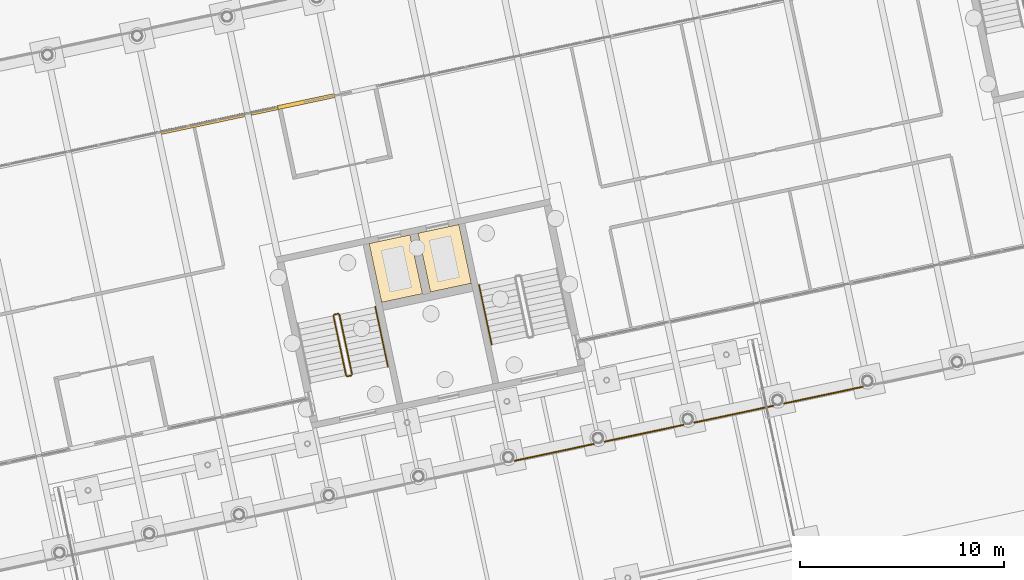
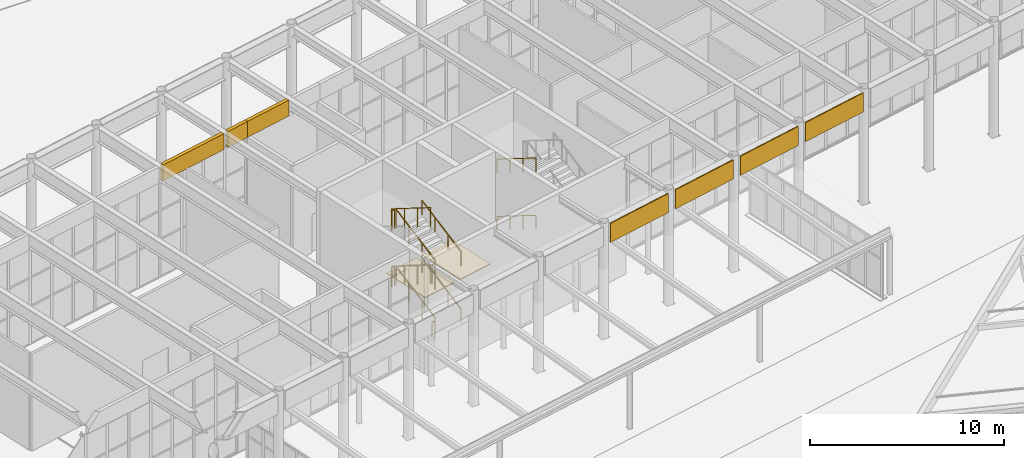
# One storey, part 213 of 239: 12 railings, 9 coverings.
"""IFC4 building model written with IfcOpenShell, lengths in metres."""

from ifc_helpers import new_model, si_unit, direction, frame, origin, origin_2d, place, context, subcontext, project, spatial, polyline, rectangle, circle, outline, extrude, material, layer, layer_set, type_object, element, save


model = new_model("IFC4")

# Units and contexts
model_context = context("Model", 3, precision=1e-05, world=origin(), true_north=direction((0.0, 1.0)))
body_context = subcontext(model_context, "Body", "Model", "MODEL_VIEW")
ifc_project = project(units=[si_unit("LENGTHUNIT", "METRE"), si_unit("AREAUNIT", "SQUARE_METRE"), si_unit("VOLUMEUNIT", "CUBIC_METRE"), si_unit("PLANEANGLEUNIT", "RADIAN"), si_unit("MASSUNIT", "GRAM", prefix="KILO")], contexts=[model_context])

# Site, building, storey
site_placement = place(None, origin())
site = spatial("IfcSite", under=ifc_project, at=site_placement, CompositionType="ELEMENT")
building_placement = place(site_placement, origin())
building = spatial("IfcBuilding", under=site, at=building_placement, Name="Okhra Congress Centre", CompositionType="ELEMENT")
storey_placement = place(building_placement, origin())
storey = spatial("IfcBuildingStorey", under=building, at=storey_placement, Name="L00", CompositionType="ELEMENT", Elevation=0.0)

# Coverings
ifc_material_1 = material(Name="Dark bronze anodised aluminium fascia panel", Category="aluminium")
ifc_layer_1 = layer(ifc_material_1, 0.06005859375)
ifc_layer_set_1 = layer_set([ifc_layer_1], Name="Dark bronze fascia strip 60")
covering_type_1 = type_object("IfcCoveringType", Name="Dark bronze fascia strip 60", PredefinedType="CLADDING", material=ifc_layer_set_1)
for number, where, z_axis, x_axis, name in (
    (1, (146.891357421875, 44.82861328125, 5.85009765625), (0.0, 0.0, 1.0), (0.978147600734, 0.207911690818, 0.0), "Girder fascia strip"),
    (2, (151.29296875, 45.76416015625, 5.85009765625), (0.0, 0.0, 1.0), (0.978147600734, 0.207911690818, 0.0), "Girder fascia strip"),
    (3, (155.694580078125, 46.69970703125, 5.85009765625), (0.0, 0.0, 1.0), (0.978147600734, 0.207911690818, 0.0), "Girder fascia strip"),
    (4, (160.09619140625, 47.63525390625, 5.85009765625), (0.0, 0.0, 1.0), (0.978147600734, 0.207911690818, 0.0), "Girder fascia strip"),
):
    element("IfcCovering", number, at=place(storey_placement, frame(where, z_axis=z_axis, x_axis=x_axis)), inside=storey, type_object=covering_type_1, Name=name, PredefinedType="CLADDING", context=body_context, shape_type="SweptSolid", body=[
        extrude(rectangle(XDim=3.991943359375, YDim=0.06005859375, at=origin_2d()), origin(), (0.0, 0.0, 1.0), 1.199951171875),
    ])
ifc_material_2 = material(Name="Insulated metal sandwich panel (mineral wool core)")
ifc_layer_2 = layer(ifc_material_2, 0.199951171875)
ifc_layer_set_2 = layer_set([ifc_layer_2], Name="Insulated fascia cladding panel 200")
covering_type_2 = type_object("IfcCoveringType", Name="Insulated fascia cladding panel 200", PredefinedType="CLADDING", material=ifc_layer_set_2)
covering_1_placement = place(storey_placement, frame((129.662109375, 60.953857421875, 6.050048828125), z_axis=(0.0, 0.0, 1.0), x_axis=(0.978147600734, 0.207911690818, 0.0)))
element("IfcCovering", 5, at=covering_1_placement, inside=storey, type_object=covering_type_2, Name="Fascia over glazing", PredefinedType="CLADDING", context=body_context, shape_type="SweptSolid", body=[
    extrude(rectangle(XDim=4.199951171875, YDim=0.199951171875, at=origin_2d()), origin(), (0.0, 0.0, 1.0), 1.0),
])
covering_2_placement = place(storey_placement, frame((132.669921875, 61.593017578125, 6.050048828125), z_axis=(0.0, 0.0, 1.0), x_axis=(0.978147600734, 0.207911690818, 0.0)))
element("IfcCovering", 6, at=covering_2_placement, inside=storey, type_object=covering_type_2, Name="Fascia over glazing", PredefinedType="CLADDING", context=body_context, shape_type="SweptSolid", body=[
    extrude(rectangle(XDim=1.35009765625, YDim=0.199951171875, at=origin_2d()), origin(), (0.0, 0.0, 1.0), 1.0),
])
covering_3_placement = place(storey_placement, frame((134.72412109375, 62.02978515625, 6.050048828125), z_axis=(0.0, 0.0, 1.0), x_axis=(0.978147600734, 0.207911690818, 0.0)))
element("IfcCovering", 7, at=covering_3_placement, inside=storey, type_object=covering_type_2, Name="Fascia over glazing", PredefinedType="CLADDING", context=body_context, shape_type="SweptSolid", body=[
    extrude(rectangle(XDim=2.85009765625, YDim=0.199951171875, at=origin_2d()), origin(), (0.0, 0.0, 1.0), 1.0),
])
ifc_material_3 = material(Name="Compacted engineered fill with topsoil and grass or paving bed")
ifc_layer_3 = layer(ifc_material_3, 0.050048828125)
ifc_layer_set_3 = layer_set([ifc_layer_3], Name="Site ground surface (engineered fill and landscape)")
covering_type_3 = type_object("IfcCoveringType", Name="Site ground surface (engineered fill and landscape)", PredefinedType="FLOORING", material=ifc_layer_set_3)
covering_4_placement = place(storey_placement, frame((0.0, 0.0, -0.10009765625)))
element("IfcCovering", 8, at=covering_4_placement, inside=storey, type_object=covering_type_3, Name="Site ground surface (engineered fill and landscape) 11", PredefinedType="FLOORING", context=body_context, shape_type="SweptSolid", body=[
    extrude(outline(polyline([(139.818359375, 55.49560546875), (137.814208984375, 55.069580078125), (138.427490234375, 52.18505859375), (140.431396484375, 52.611083984375), (139.818359375, 55.49560546875)])), origin(), (0.0, 0.0, 1.0), 0.050048828125),
])
covering_5_placement = place(storey_placement, frame((0.0, 0.0, -0.10009765625)))
element("IfcCovering", 9, at=covering_5_placement, inside=storey, type_object=covering_type_3, Name="Site ground surface (engineered fill and landscape) 12", PredefinedType="FLOORING", context=body_context, shape_type="SweptSolid", body=[
    extrude(outline(polyline([(140.210693359375, 55.578857421875), (140.82373046875, 52.694580078125), (142.827880859375, 53.12060546875), (142.21484375, 56.0048828125), (140.210693359375, 55.578857421875)])), origin(), (0.0, 0.0, 1.0), 0.050048828125),
])

# Railings
ifc_material_4 = material(Name="Painted steel tube handrail on wall brackets", Category="steel")
railing_type_1 = type_object("IfcRailingType", Name="Steel handrail 900", PredefinedType="HANDRAIL", material=ifc_material_4)
railing_1_placement = place(storey_placement, frame((138.739501953125, 49.030517578125, 0.16357421875)))
element("IfcRailing", 10, at=railing_1_placement, inside=storey, type_object=railing_type_1, Name="L00 BS3A stair handrail 1", PredefinedType="HANDRAIL", context=body_context, shape_type="SweptSolid", body=[
    extrude(circle(Radius=0.02392578125, at=origin_2d()), frame((0.0, 0.0, 0.8759765625), z_axis=(-0.182539774255, 0.858687102456, 0.478890061383), x_axis=(-0.978142921837, -0.207933702079, 0.0)), (0.0, 0.0, 1.0), 3.417236328125),
    extrude(circle(Radius=0.02099609375, at=origin_2d()), origin(), (0.0, 0.0, 1.0), 0.851806640625),
    extrude(circle(Radius=0.02099609375, at=origin_2d()), frame((-0.2080078125, 0.97802734375, 0.54541015625)), (0.0, 0.0, 1.0), 0.851806640625),
    extrude(circle(Radius=0.02099609375, at=origin_2d()), frame((-0.415771484375, 1.956298828125, 1.091064453125)), (0.0, 0.0, 1.0), 0.851806640625),
    extrude(circle(Radius=0.02099609375, at=origin_2d()), frame((-0.623779296875, 2.934326171875, 1.636474609375)), (0.0, 0.0, 1.0), 0.851806640625),
])
railing_2_placement = place(storey_placement, frame((138.739501953125, 49.030517578125, 3.763671875)))
element("IfcRailing", 11, at=railing_2_placement, inside=storey, type_object=railing_type_1, Name="L00 BS3A stair handrail 3", PredefinedType="HANDRAIL", context=body_context, shape_type="SweptSolid", body=[
    extrude(circle(Radius=0.02392578125, at=origin_2d()), frame((0.0, 0.0, 0.8759765625), z_axis=(-0.182546019505, 0.858716480796, 0.478834999109), x_axis=(-0.978142921837, -0.207933702079, 0.0)), (0.0, 0.0, 1.0), 3.4169921875),
    extrude(circle(Radius=0.02099609375, at=origin_2d()), origin(), (0.0, 0.0, 1.0), 0.851806640625),
    extrude(circle(Radius=0.02099609375, at=origin_2d()), frame((-0.2080078125, 0.97802734375, 0.54541015625)), (0.0, 0.0, 1.0), 0.851806640625),
    extrude(circle(Radius=0.02099609375, at=origin_2d()), frame((-0.415771484375, 1.956298828125, 1.0908203125)), (0.0, 0.0, 1.0), 0.851806640625),
    extrude(circle(Radius=0.02099609375, at=origin_2d()), frame((-0.623779296875, 2.934326171875, 1.63623046875)), (0.0, 0.0, 1.0), 0.851806640625),
])
railing_3_placement = place(storey_placement, frame((143.2021484375, 53.046142578125, 1.963623046875)))
element("IfcRailing", 12, at=railing_3_placement, inside=storey, type_object=railing_type_1, Name="L00 BS3B stair handrail 2", PredefinedType="HANDRAIL", context=body_context, shape_type="SweptSolid", body=[
    extrude(circle(Radius=0.02392578125, at=origin_2d()), frame((0.0, 0.0, 0.8759765625), z_axis=(0.182528576341, -0.858705865993, 0.47886068384), x_axis=(0.978146440129, 0.207917150959, 0.0)), (0.0, 0.0, 1.0), 3.41748046875),
    extrude(circle(Radius=0.02099609375, at=origin_2d()), origin(), (0.0, 0.0, 1.0), 0.851806640625),
    extrude(circle(Radius=0.02099609375, at=origin_2d()), frame((0.2080078125, -0.978271484375, 0.54541015625)), (0.0, 0.0, 1.0), 0.851806640625),
    extrude(circle(Radius=0.02099609375, at=origin_2d()), frame((0.415771484375, -1.956298828125, 1.091064453125)), (0.0, 0.0, 1.0), 0.851806640625),
    extrude(circle(Radius=0.02099609375, at=origin_2d()), frame((0.623779296875, -2.9345703125, 1.636474609375)), (0.0, 0.0, 1.0), 0.851806640625),
])
railing_4_placement = place(storey_placement, frame((143.2021484375, 53.046142578125, 5.563720703125)))
element("IfcRailing", 13, at=railing_4_placement, inside=storey, type_object=railing_type_1, Name="L00 BS3B stair handrail 4", PredefinedType="HANDRAIL", context=body_context, shape_type="SweptSolid", body=[
    extrude(circle(Radius=0.02392578125, at=origin_2d()), frame((0.0, 0.0, 0.8759765625), z_axis=(0.182534820441, -0.858735241371, 0.478805622934), x_axis=(0.978146440129, 0.207917150959, 0.0)), (0.0, 0.0, 1.0), 3.417236328125),
    extrude(circle(Radius=0.02099609375, at=origin_2d()), origin(), (0.0, 0.0, 1.0), 0.851806640625),
    extrude(circle(Radius=0.02099609375, at=origin_2d()), frame((0.2080078125, -0.978271484375, 0.54541015625)), (0.0, 0.0, 1.0), 0.851806640625),
    extrude(circle(Radius=0.02099609375, at=origin_2d()), frame((0.415771484375, -1.956298828125, 1.0908203125)), (0.0, 0.0, 1.0), 0.851806640625),
    extrude(circle(Radius=0.02099609375, at=origin_2d()), frame((0.623779296875, -2.9345703125, 1.63623046875)), (0.0, 0.0, 1.0), 0.851806640625),
])
ifc_material_5 = material(Name="Painted steel tube guard with vertical steel balusters", Category="steel")
railing_type_2 = type_object("IfcRailingType", Name="Steel stair guard 1200", PredefinedType="GUARDRAIL", material=ifc_material_5)
railing_5_placement = place(storey_placement, frame((136.978759765625, 48.65625, 0.16357421875)))
element("IfcRailing", 14, at=railing_5_placement, inside=storey, type_object=railing_type_2, Name="L00 BS3A stair guard 1", PredefinedType="GUARDRAIL", context=body_context, shape_type="SweptSolid", body=[
    extrude(circle(Radius=0.02392578125, at=origin_2d()), frame((0.0, 0.0, 1.17578125), z_axis=(-0.182539774255, 0.858687102456, 0.478890061383), x_axis=(-0.978142921837, -0.207933702079, 0.0)), (0.0, 0.0, 1.0), 3.417236328125),
    extrude(circle(Radius=0.02099609375, at=origin_2d()), origin(), (0.0, 0.0, 1.0), 1.15185546875),
    extrude(circle(Radius=0.02099609375, at=origin_2d()), frame((-0.2080078125, 0.97802734375, 0.54541015625)), (0.0, 0.0, 1.0), 1.15185546875),
    extrude(circle(Radius=0.02099609375, at=origin_2d()), frame((-0.415771484375, 1.956298828125, 1.091064453125)), (0.0, 0.0, 1.0), 1.15185546875),
    extrude(circle(Radius=0.02099609375, at=origin_2d()), frame((-0.623779296875, 2.934326171875, 1.636474609375)), (0.0, 0.0, 1.0), 1.15185546875),
])
railing_6_placement = place(storey_placement, frame((136.2958984375, 51.629150390625, 1.800048828125)))
element("IfcRailing", 15, at=railing_6_placement, inside=storey, type_object=railing_type_2, Name="L00 BS3A stair guard 2", PredefinedType="GUARDRAIL", context=body_context, shape_type="SweptSolid", body=[
    extrude(circle(Radius=0.02392578125, at=origin_2d()), frame((0.0, 0.0, 1.17578125), z_axis=(-0.97826412705, -0.207362720198, 0.0), x_axis=(0.207362720198, -0.97826412705, 0.0)), (0.0, 0.0, 1.0), 0.2001953125),
    extrude(circle(Radius=0.02099609375, at=origin_2d()), origin(), (0.0, 0.0, 1.0), 1.15185546875),
    extrude(circle(Radius=0.02099609375, at=origin_2d()), frame((-0.19580078125, -0.04150390625, 0.0)), (0.0, 0.0, 1.0), 1.15185546875),
])
railing_7_placement = place(storey_placement, frame((136.0615234375, 51.5283203125, 1.963623046875)))
element("IfcRailing", 16, at=railing_7_placement, inside=storey, type_object=railing_type_2, Name="L00 BS3A stair guard 3", PredefinedType="GUARDRAIL", context=body_context, shape_type="SweptSolid", body=[
    extrude(circle(Radius=0.02392578125, at=origin_2d()), frame((0.0, 0.0, 1.17578125), z_axis=(0.182539774255, -0.858687102456, 0.478890061383), x_axis=(0.978142921837, 0.207933702079, 0.0)), (0.0, 0.0, 1.0), 3.417236328125),
    extrude(circle(Radius=0.02099609375, at=origin_2d()), origin(), (0.0, 0.0, 1.0), 1.15185546875),
    extrude(circle(Radius=0.02099609375, at=origin_2d()), frame((0.2080078125, -0.97802734375, 0.54541015625)), (0.0, 0.0, 1.0), 1.15185546875),
    extrude(circle(Radius=0.02099609375, at=origin_2d()), frame((0.415771484375, -1.956298828125, 1.091064453125)), (0.0, 0.0, 1.0), 1.15185546875),
    extrude(circle(Radius=0.02099609375, at=origin_2d()), frame((0.623779296875, -2.934326171875, 1.636474609375)), (0.0, 0.0, 1.0), 1.15185546875),
])
railing_8_placement = place(storey_placement, frame((136.9404296875, 48.596923828125, 3.60009765625)))
element("IfcRailing", 17, at=railing_8_placement, inside=storey, type_object=railing_type_2, Name="L00 BS3A stair guard 4", PredefinedType="GUARDRAIL", context=body_context, shape_type="SweptSolid", body=[
    extrude(circle(Radius=0.02392578125, at=origin_2d()), frame((0.0, 0.0, 1.17578125), z_axis=(-0.97826412705, -0.207362720198, 0.0), x_axis=(0.207362720198, -0.97826412705, 0.0)), (0.0, 0.0, 1.0), 0.2001953125),
    extrude(circle(Radius=0.02099609375, at=origin_2d()), origin(), (0.0, 0.0, 1.0), 1.15185546875),
    extrude(circle(Radius=0.02099609375, at=origin_2d()), frame((-0.19580078125, -0.04150390625, 0.0)), (0.0, 0.0, 1.0), 1.15185546875),
])
railing_9_placement = place(storey_placement, frame((136.978759765625, 48.65625, 3.763671875)))
element("IfcRailing", 18, at=railing_9_placement, inside=storey, type_object=railing_type_2, Name="L00 BS3A stair guard 5", PredefinedType="GUARDRAIL", context=body_context, shape_type="SweptSolid", body=[
    extrude(circle(Radius=0.02392578125, at=origin_2d()), frame((0.0, 0.0, 1.17578125), z_axis=(-0.182546019505, 0.858716480796, 0.478834999109), x_axis=(-0.978142921837, -0.207933702079, 0.0)), (0.0, 0.0, 1.0), 3.4169921875),
    extrude(circle(Radius=0.02099609375, at=origin_2d()), origin(), (0.0, 0.0, 1.0), 1.15185546875),
    extrude(circle(Radius=0.02099609375, at=origin_2d()), frame((-0.2080078125, 0.97802734375, 0.54541015625)), (0.0, 0.0, 1.0), 1.15185546875),
    extrude(circle(Radius=0.02099609375, at=origin_2d()), frame((-0.415771484375, 1.956298828125, 1.0908203125)), (0.0, 0.0, 1.0), 1.15185546875),
    extrude(circle(Radius=0.02099609375, at=origin_2d()), frame((-0.623779296875, 2.934326171875, 1.63623046875)), (0.0, 0.0, 1.0), 1.15185546875),
])
railing_10_placement = place(storey_placement, frame((136.2958984375, 51.629150390625, 5.39990234375)))
element("IfcRailing", 19, at=railing_10_placement, inside=storey, type_object=railing_type_2, Name="L00 BS3A stair guard 6", PredefinedType="GUARDRAIL", context=body_context, shape_type="SweptSolid", body=[
    extrude(circle(Radius=0.02392578125, at=origin_2d()), frame((0.0, 0.0, 1.17578125), z_axis=(-0.97826412705, -0.207362720198, 0.0), x_axis=(0.207362720198, -0.97826412705, 0.0)), (0.0, 0.0, 1.0), 0.2001953125),
    extrude(circle(Radius=0.02099609375, at=origin_2d()), origin(), (0.0, 0.0, 1.0), 1.15185546875),
    extrude(circle(Radius=0.02099609375, at=origin_2d()), frame((-0.19580078125, -0.04150390625, 0.0)), (0.0, 0.0, 1.0), 1.15185546875),
])
railing_11_placement = place(storey_placement, frame((136.0615234375, 51.5283203125, 5.563720703125)))
element("IfcRailing", 20, at=railing_11_placement, inside=storey, type_object=railing_type_2, Name="L00 BS3A stair guard 7", PredefinedType="GUARDRAIL", context=body_context, shape_type="SweptSolid", body=[
    extrude(circle(Radius=0.02392578125, at=origin_2d()), frame((0.0, 0.0, 1.17578125), z_axis=(0.182546019505, -0.858716480796, 0.478834999109), x_axis=(0.978142921837, 0.207933702079, 0.0)), (0.0, 0.0, 1.0), 3.4169921875),
    extrude(circle(Radius=0.02099609375, at=origin_2d()), origin(), (0.0, 0.0, 1.0), 1.15185546875),
    extrude(circle(Radius=0.02099609375, at=origin_2d()), frame((0.2080078125, -0.97802734375, 0.54541015625)), (0.0, 0.0, 1.0), 1.15185546875),
    extrude(circle(Radius=0.02099609375, at=origin_2d()), frame((0.415771484375, -1.956298828125, 1.0908203125)), (0.0, 0.0, 1.0), 1.15185546875),
    extrude(circle(Radius=0.02099609375, at=origin_2d()), frame((0.623779296875, -2.934326171875, 1.63623046875)), (0.0, 0.0, 1.0), 1.15185546875),
])
railing_12_placement = place(storey_placement, frame((136.9404296875, 48.596923828125, 0.0)))
element("IfcRailing", 21, at=railing_12_placement, inside=storey, type_object=railing_type_2, Name="L00 BS3A stair guard 8", PredefinedType="GUARDRAIL", context=body_context, shape_type="SweptSolid", body=[
    extrude(circle(Radius=0.02392578125, at=origin_2d()), frame((0.0, 0.0, 1.17578125), z_axis=(-0.97826412705, -0.207362720198, 0.0), x_axis=(0.207362720198, -0.97826412705, 0.0)), (0.0, 0.0, 1.0), 0.2001953125),
    extrude(circle(Radius=0.02099609375, at=origin_2d()), origin(), (0.0, 0.0, 1.0), 1.15185546875),
    extrude(circle(Radius=0.02099609375, at=origin_2d()), frame((-0.19580078125, -0.04150390625, 0.0)), (0.0, 0.0, 1.0), 1.15185546875),
])

save(model, "model.ifc")
